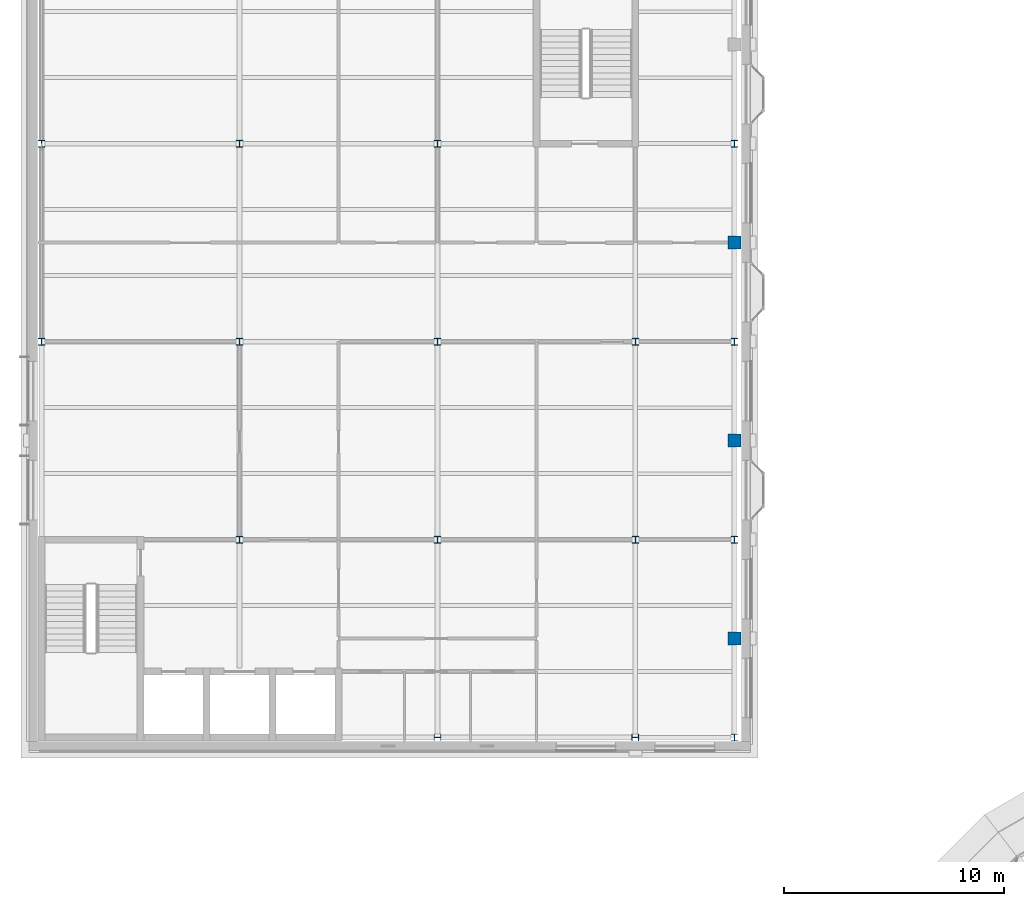
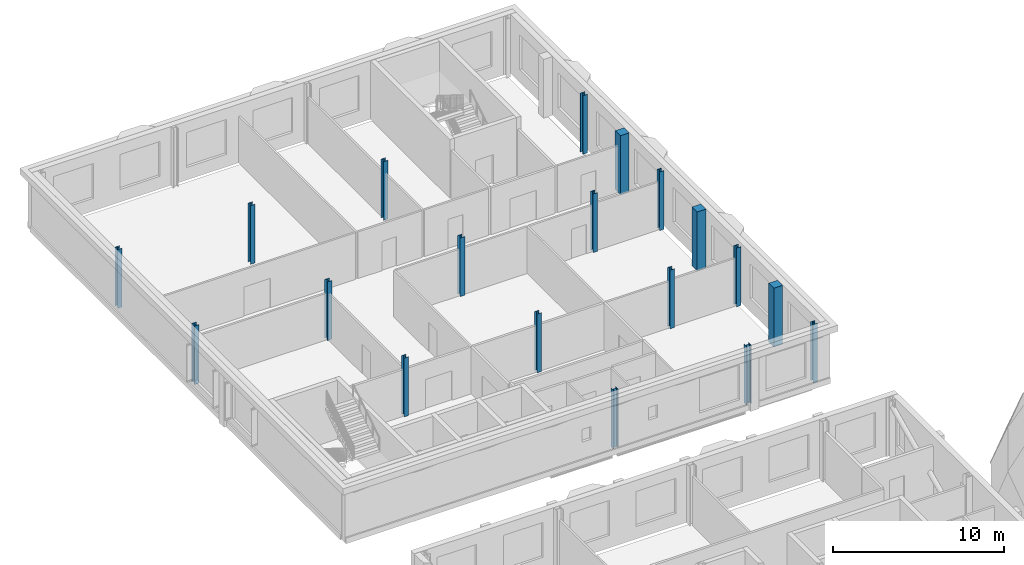
# One storey, part 2 of 62: 19 columns.
"""IFC4 building model written with IfcOpenShell, lengths in metres."""

from ifc_helpers import new_model, si_unit, direction, frame, origin, origin_2d, place, context, subcontext, project, spatial, rectangle, i_section, extrude, material, material_profile, profile_set, type_object, element, save


model = new_model("IFC4")

# Units and contexts
model_context = context("Model", 3, precision=1e-05, world=origin(), true_north=direction((0.0, 1.0)))
body_context = subcontext(model_context, "Body", "Model", "MODEL_VIEW")
ifc_project = project(units=[si_unit("LENGTHUNIT", "METRE"), si_unit("AREAUNIT", "SQUARE_METRE"), si_unit("VOLUMEUNIT", "CUBIC_METRE"), si_unit("PLANEANGLEUNIT", "RADIAN"), si_unit("MASSUNIT", "GRAM", prefix="KILO")], contexts=[model_context])

# Site, building, storey
site_placement = place(None, origin())
site = spatial("IfcSite", under=ifc_project, at=site_placement, CompositionType="ELEMENT")
building_placement = place(site_placement, origin())
building = spatial("IfcBuilding", under=site, at=building_placement, Name="Hortulan Conservatory and Botanical Research Centre", CompositionType="ELEMENT")
storey_placement = place(building_placement, frame((0.0, 0.0, 15.0)))
storey = spatial("IfcBuildingStorey", under=building, at=storey_placement, Name="L03", CompositionType="ELEMENT", Elevation=15.0)

# Columns
ifc_material_1 = material(Name="Sandstone masonry (25 MPa, AS 3700)", Category="masonry")
ifc_material_profile_1 = material_profile(ifc_material_1, rectangle(XDim=0.60009765625, YDim=0.60009765625, at=origin_2d()), Name="Square pier 600")
ifc_profile_set_1 = profile_set([ifc_material_profile_1], Name="Sandstone masonry (25 MPa, AS 3700)")
column_type_1 = type_object("IfcColumnType", Name="Sandstone Arcade Pier 600x600", PredefinedType="COLUMN", material=ifc_profile_set_1)
for number, where, z_axis, x_axis, name in (
    (1, (31.5, 40.5, 0.0), (0.0, 0.0, 1.0), (1.0, 0.0, 0.0), "Sandstone arcade pier P-31.5-40.5 L03"),
    (2, (31.5, 49.5, 0.0), (0.0, 0.0, 1.0), (1.0, 0.0, 0.0), "Sandstone arcade pier P-31.5-49.5 L03"),
    (3, (31.5, 58.5, 0.0), (0.0, 0.0, 1.0), (1.0, 0.0, 0.0), "Sandstone arcade pier P-31.5-58.5 L03"),
):
    element("IfcColumn", number, at=place(storey_placement, frame(where, z_axis=z_axis, x_axis=x_axis)), inside=storey, type_object=column_type_1, Name=name, PredefinedType="COLUMN", context=body_context, shape_type="SweptSolid", body=[
        extrude(rectangle(XDim=0.60009765625, YDim=0.60009765625, at=origin_2d()), origin(), (0.0, 0.0, 1.0), 4.199951171875),
    ])
ifc_material_2 = material(Name="Steel Grade 300PLUS (AS/NZS 3679.1, 280 MPa minimum yield)", Category="steel")
ifc_material_profile_2 = material_profile(ifc_material_2, i_section(OverallWidth=0.306884765625, OverallDepth=0.31494140625, WebThickness=0.011962890625, FlangeThickness=0.018798828125, FilletRadius=0.0166015625, at=origin_2d()), Name="310UC118")
ifc_profile_set_2 = profile_set([ifc_material_profile_2], Name="Steel Grade 300PLUS (AS/NZS 3679.1, 280 MPa minimum yield)")
column_type_2 = type_object("IfcColumnType", Name="Visitor Centre Column 310UC118", PredefinedType="COLUMN", material=ifc_profile_set_2)
for number, where, z_axis, x_axis, name in (
    (4, (0.0, 54.0, 0.0), (0.0, 0.0, 1.0), (1.0, 0.0, 0.0), "310UC118 column"),
    (5, (0.0, 63.0, 0.0), (0.0, 0.0, 1.0), (1.0, 0.0, 0.0), "310UC118 column"),
    (6, (9.0, 45.0, 0.0), (0.0, 0.0, 1.0), (1.0, 0.0, 0.0), "310UC118 column"),
    (7, (9.0, 54.0, 0.0), (0.0, 0.0, 1.0), (1.0, 0.0, 0.0), "310UC118 column"),
    (8, (9.0, 63.0, 0.0), (0.0, 0.0, 1.0), (1.0, 0.0, 0.0), "310UC118 column"),
    (9, (18.0, 36.0, 0.0), (0.0, 0.0, 1.0), (0.0, 1.0, 0.0), "310UC118 column"),
    (10, (18.0, 45.0, 0.0), (0.0, 0.0, 1.0), (1.0, 0.0, 0.0), "310UC118 column"),
    (11, (18.0, 54.0, 0.0), (0.0, 0.0, 1.0), (1.0, 0.0, 0.0), "310UC118 column"),
    (12, (18.0, 63.0, 0.0), (0.0, 0.0, 1.0), (1.0, 0.0, 0.0), "310UC118 column"),
    (13, (27.0, 36.0, 0.0), (0.0, 0.0, 1.0), (0.0, 1.0, 0.0), "310UC118 column"),
    (14, (27.0, 45.0, 0.0), (0.0, 0.0, 1.0), (1.0, 0.0, 0.0), "310UC118 column"),
    (15, (27.0, 54.0, 0.0), (0.0, 0.0, 1.0), (1.0, 0.0, 0.0), "310UC118 column"),
    (16, (31.5, 36.0, 0.0), (0.0, 0.0, 1.0), (1.0, 0.0, 0.0), "310UC118 column"),
    (17, (31.5, 45.0, 0.0), (0.0, 0.0, 1.0), (1.0, 0.0, 0.0), "310UC118 column"),
    (18, (31.5, 54.0, 0.0), (0.0, 0.0, 1.0), (1.0, 0.0, 0.0), "310UC118 column"),
    (19, (31.5, 63.0, 0.0), (0.0, 0.0, 1.0), (1.0, 0.0, 0.0), "310UC118 column"),
):
    element("IfcColumn", number, at=place(storey_placement, frame(where, z_axis=z_axis, x_axis=x_axis)), inside=storey, type_object=column_type_2, Name=name, PredefinedType="COLUMN", context=body_context, shape_type="SweptSolid", body=[
        extrude(i_section(OverallWidth=0.306884765625, OverallDepth=0.31494140625, WebThickness=0.011962890625, FlangeThickness=0.018798828125, FilletRadius=0.0166015625, at=origin_2d()), origin(), (0.0, 0.0, 1.0), 4.199951171875),
    ])

save(model, "model.ifc")
